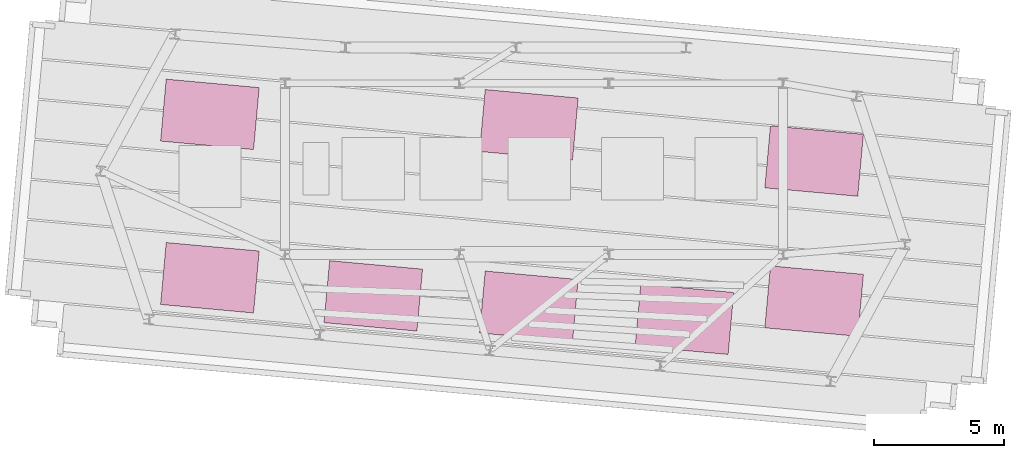
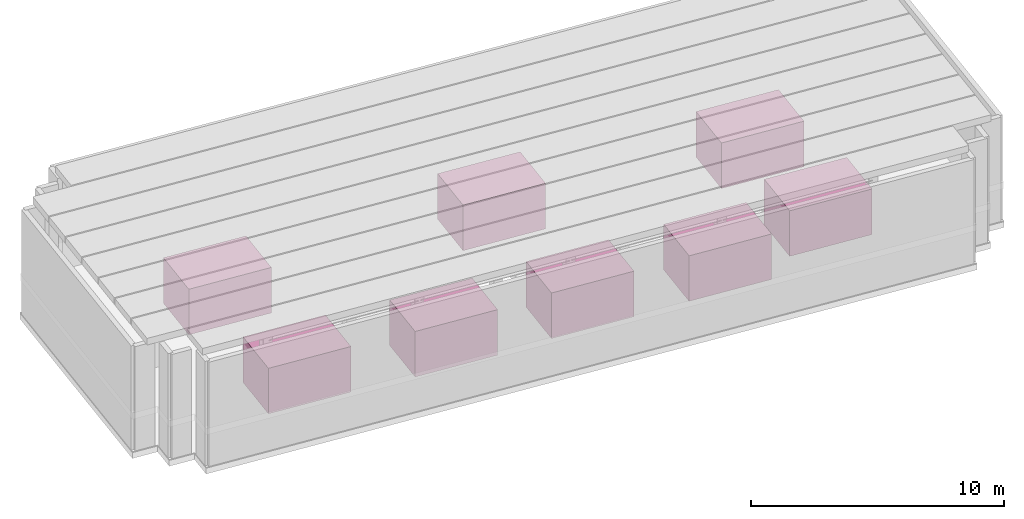
# One storey, part 4 of 4: 8 furnishings.
"""IFC4 building model written with IfcOpenShell, lengths in metres."""

from ifc_helpers import new_model, si_unit, direction, frame, origin, origin_2d, place, context, subcontext, project, spatial, rectangle, extrude, source, transform, mapped, material, type_object, type_shapes, element, save


model = new_model("IFC4")

# Units and contexts
model_context = context("Model", 3, precision=1e-05, world=origin(), true_north=direction((0.0, 1.0)))
body_context = subcontext(model_context, "Body", "Model", "MODEL_VIEW")
ifc_project = project(units=[si_unit("LENGTHUNIT", "METRE"), si_unit("AREAUNIT", "SQUARE_METRE"), si_unit("VOLUMEUNIT", "CUBIC_METRE"), si_unit("PLANEANGLEUNIT", "RADIAN"), si_unit("MASSUNIT", "GRAM", prefix="KILO")], contexts=[model_context])

# Site, building, storey
site_placement = place(None, origin())
site = spatial("IfcSite", under=ifc_project, at=site_placement, CompositionType="ELEMENT")
building_placement = place(site_placement, origin())
building = spatial("IfcBuilding", under=site, at=building_placement, Name="Astriad Promenade Condominiums", CompositionType="ELEMENT")
storey_placement = place(building_placement, frame((0.0, 0.0, 296.800048828125)))
storey = spatial("IfcBuildingStorey", under=building, at=storey_placement, Name="ROOF", CompositionType="ELEMENT", Elevation=296.800048828125)

# Furnishings
ifc_material = material(Name="Galvanised Steel Acoustic Cooling Tower Plant Unit", Category="steel")
furnishing_element_type = type_object("IfcFurnishingElementType", Name="PLANT-CROWN-UNIT-3800", material=ifc_material)
shared_shape = source(origin(), body_context, "Body", "SweptSolid", [
    extrude(rectangle(XDim=3.60009765625, YDim=2.39990234375, at=origin_2d()), origin(), (0.0, 0.0, 1.0), 2.199951171875),
])
type_shapes(furnishing_element_type, [shared_shape])
for number, where, z_axis, x_axis, name in (
    (1, (23.5, 16.5, 0.0), (0.0, 0.0, 1.0), (0.995884398616, -0.090632580198, 0.0), "Crown Cooling Tower Mechanical Plant Unit 01"),
    (2, (23.5, 22.800048828125, 0.0), (0.0, 0.0, 1.0), (0.995884398616, -0.090632580198, 0.0), "Crown Cooling Tower Mechanical Plant Unit 02"),
    (3, (29.800048828125, 15.800048828125, 0.0), (0.0, 0.0, 1.0), (0.995884398616, -0.090632580198, 0.0), "Crown Cooling Tower Mechanical Plant Unit 03"),
    (4, (35.800048828125, 15.39990234375, 0.0), (0.0, 0.0, 1.0), (0.995884398616, -0.090632580198, 0.0), "Crown Cooling Tower Mechanical Plant Unit 04"),
    (5, (41.800048828125, 14.89990234375, 0.0), (0.0, 0.0, 1.0), (0.995884398616, -0.090632580198, 0.0), "Crown Cooling Tower Mechanical Plant Unit 05"),
    (6, (46.800048828125, 15.60009765625, 0.0), (0.0, 0.0, 1.0), (0.995884398616, -0.090632580198, 0.0), "Crown Cooling Tower Mechanical Plant Unit 06"),
    (7, (46.800048828125, 21.0, 0.0), (0.0, 0.0, 1.0), (0.995884398616, -0.090632580198, 0.0), "Crown Cooling Tower Mechanical Plant Unit 07"),
    (8, (35.800048828125, 22.39990234375, 0.0), (0.0, 0.0, 1.0), (0.995884398616, -0.090632580198, 0.0), "Crown Cooling Tower Mechanical Plant Unit 08"),
):
    element("IfcFurnishingElement", number, at=place(storey_placement, frame(where, z_axis=z_axis, x_axis=x_axis)), inside=storey, type_object=furnishing_element_type, Name=name, ObjectType="PLANT-CROWN-UNIT-3800", context=body_context, shape_type="MappedRepresentation", body=[
        mapped(shared_shape, transform((0.0, 0.0, 0.0), scale=1.0)),
    ])

save(model, "model.ifc")
